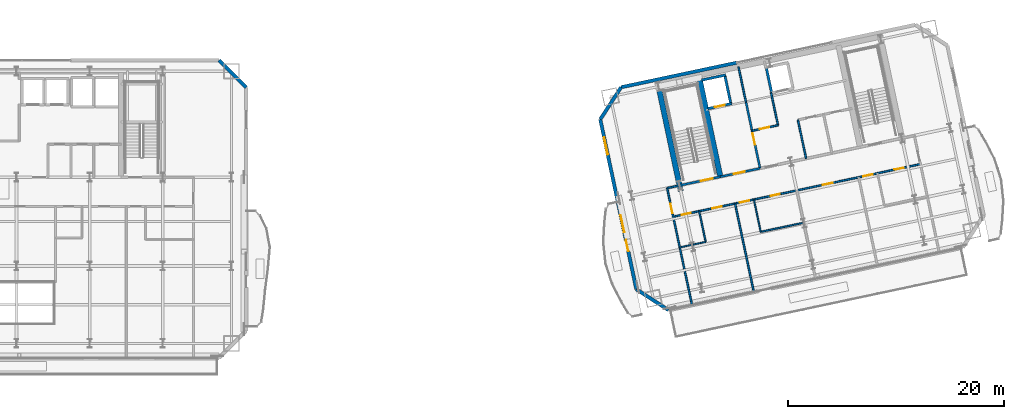
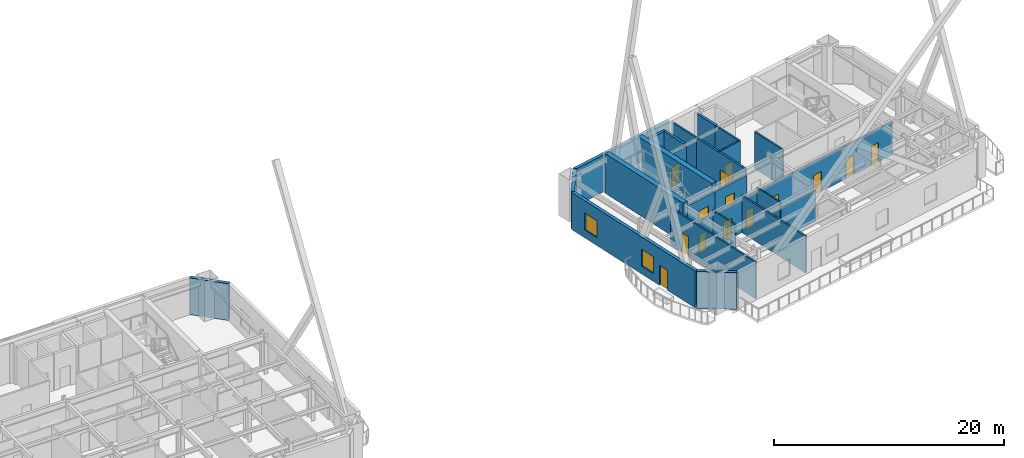
# One storey, part 14 of 22: 26 walls, 14 doors, 2 windows, 16 openings.
"""IFC4 building model written with IfcOpenShell, lengths in metres."""

from ifc_helpers import new_model, si_unit, direction, frame, frame_2d, origin, place, context, subcontext, project, spatial, rectangle, extrude, material, layer, layer_set, type_object, element, fill, save


model = new_model("IFC4")

# Units and contexts
model_context = context("Model", 3, precision=1e-05, world=origin(), true_north=direction((0.0, 1.0)))
body_context = subcontext(model_context, "Body", "Model", "MODEL_VIEW")
ifc_project = project(units=[si_unit("LENGTHUNIT", "METRE"), si_unit("AREAUNIT", "SQUARE_METRE"), si_unit("VOLUMEUNIT", "CUBIC_METRE"), si_unit("PLANEANGLEUNIT", "RADIAN"), si_unit("MASSUNIT", "GRAM", prefix="KILO")], contexts=[model_context])

# Site, building, storey
site_placement = place(None, origin())
site = spatial("IfcSite", under=ifc_project, at=site_placement, CompositionType="ELEMENT")
building_placement = place(site_placement, origin())
building = spatial("IfcBuilding", under=site, at=building_placement, Name="Haevon Station Towers", CompositionType="ELEMENT")
storey_placement = place(building_placement, frame((0.0, 0.0, 133.800048828125)))
storey = spatial("IfcBuildingStorey", under=building, at=storey_placement, Name="L36", CompositionType="ELEMENT", Elevation=133.800048828125)

# Wall, opening, door
ifc_material_1 = material(Name="Gypsum board on steel stud", Category="steel")
ifc_layer_1 = layer(ifc_material_1, 0.199951171875)
ifc_layer_set_1 = layer_set([ifc_layer_1], Name="Gypsum board on steel stud")
wall_type_1 = type_object("IfcWallType", Name="WL-COR200", PredefinedType="PARTITIONING", material=ifc_layer_set_1)
wall_1_placement = place(storey_placement, frame((98.75244140625, 37.4423828125, 0.0), z_axis=(0.0, 0.0, 1.0), x_axis=(0.978143537786, 0.207930804564, 0.0)))
wall_1 = element("IfcWall", 1, at=wall_1_placement, inside=storey, type_object=wall_type_1, Name="WL-ST-ST3-L36", PredefinedType="PARTITIONING", context=body_context, shape_type="SweptSolid", body=[
    extrude(rectangle(XDim=3.85009765625, YDim=0.199951171875, at=frame_2d((1.925048828125, 0.0))), origin(), (0.0, 0.0, 1.0), 3.25),
])
opening_1_placement = place(wall_1_placement, frame((2.0, 0.0, 0.0)))
opening_1 = element("IfcOpeningElement", 2, at=opening_1_placement, cuts=wall_1, Name="Opening DR-ST-ST3-L36", PredefinedType="OPENING", context=body_context, shape_type="SweptSolid", body=[
    extrude(rectangle(XDim=1.1201171875, YDim=2.10009765625, at=frame_2d((0.56005859375, 1.050048828125))), frame((0.0, 0.10986328125, 0.0), z_axis=(0.0, -1.0, 0.0), x_axis=(1.0, 0.0, 0.0)), (0.0, 0.0, 1.0), 0.219970703125),
])
ifc_material_2 = material(Name="Engineered oak timber", Category="wood")
door_type_1 = type_object("IfcDoorType", Name="DR-ST-1120", OperationType="NOTDEFINED", PredefinedType="DOOR", material=ifc_material_2)
door_1_placement = place(opening_1_placement, origin())
door_1 = element("IfcDoor", 3, at=door_1_placement, inside=storey, type_object=door_type_1, Name="L36 Escape Stair ST3 Fire Door", OperationType="SINGLE_SWING_LEFT", OverallHeight=2.10009765625, OverallWidth=1.1201171875, PredefinedType="DOOR", context=body_context, shape_type="SweptSolid", body=[
    extrude(rectangle(XDim=1.1201171875, YDim=2.10009765625, at=frame_2d((0.56005859375, 1.050048828125))), frame((0.0, 0.02490234375, 0.0), z_axis=(0.0, -1.0, 0.0), x_axis=(1.0, 0.0, 0.0)), (0.0, 0.0, 1.0), 0.050048828125),
])
fill(opening_1, door_1)

wall_2_placement = place(storey_placement, frame((106.186279296875, 39.0224609375, 0.0), z_axis=(0.0, 0.0, 1.0), x_axis=(-0.207916691923, 0.978146537703, 0.0)))
wall_2 = element("IfcWall", 4, at=wall_2_placement, inside=storey, type_object=wall_type_1, Name="WL-T2FFL-L36-E", PredefinedType="PARTITIONING", context=body_context, shape_type="SweptSolid", body=[
    extrude(rectangle(XDim=6.35009765625, YDim=0.199951171875, at=frame_2d((3.175048828125, 0.0))), origin(), (0.0, 0.0, 1.0), 3.89990234375),
])
opening_2_placement = place(wall_2_placement, frame((2.239990234375, 0.0, 0.0)))
opening_2 = element("IfcOpeningElement", 5, at=opening_2_placement, cuts=wall_2, Name="Opening DR-T2FFL-L36-E", PredefinedType="OPENING", context=body_context, shape_type="SweptSolid", body=[
    extrude(rectangle(XDim=1.050048828125, YDim=2.10009765625, at=frame_2d((0.52490234375, 1.050048828125))), frame((0.0, 0.10986328125, 0.0), z_axis=(0.0, -1.0, 0.0), x_axis=(1.0, 0.0, 0.0)), (0.0, 0.0, 1.0), 0.219970703125),
])
door_type_2 = type_object("IfcDoorType", Name="DR-FD60-1050", OperationType="NOTDEFINED", PredefinedType="DOOR", material=ifc_material_2)
door_2_placement = place(opening_2_placement, origin())
door_2 = element("IfcDoor", 6, at=door_2_placement, inside=storey, type_object=door_type_2, Name="L36 Tower 2 Firefighting Lift Lobby Door E", OperationType="SINGLE_SWING_LEFT", OverallHeight=2.10009765625, OverallWidth=1.050048828125, PredefinedType="DOOR", context=body_context, shape_type="SweptSolid", body=[
    extrude(rectangle(XDim=1.050048828125, YDim=2.10009765625, at=frame_2d((0.52490234375, 1.050048828125))), frame((0.0, 0.02490234375, 0.0), z_axis=(0.0, -1.0, 0.0), x_axis=(1.0, 0.0, 0.0)), (0.0, 0.0, 1.0), 0.050048828125),
])
fill(opening_2, door_2)

wall_3_placement = place(storey_placement, frame((102.518310546875, 38.242919921875, 0.0), z_axis=(0.0, 0.0, 1.0), x_axis=(0.978153555683, 0.20788367301, 0.0)))
wall_3 = element("IfcWall", 7, at=wall_3_placement, inside=storey, type_object=wall_type_1, Name="WL-T2FFL-L36-S", PredefinedType="PARTITIONING", context=body_context, shape_type="SweptSolid", body=[
    extrude(rectangle(XDim=3.75, YDim=0.199951171875, at=frame_2d((1.875, 0.0))), origin(), (0.0, 0.0, 1.0), 3.25),
])
opening_3_placement = place(wall_3_placement, frame((1.25, 0.0, 0.0)))
opening_3 = element("IfcOpeningElement", 8, at=opening_3_placement, cuts=wall_3, Name="Opening DR-T2FFL-L36-S", PredefinedType="OPENING", context=body_context, shape_type="SweptSolid", body=[
    extrude(rectangle(XDim=1.050048828125, YDim=2.10009765625, at=frame_2d((0.52490234375, 1.050048828125))), frame((0.0, 0.10986328125, 0.0), z_axis=(0.0, -1.0, 0.0), x_axis=(1.0, 0.0, 0.0)), (0.0, 0.0, 1.0), 0.219970703125),
])
door_3_placement = place(opening_3_placement, origin())
door_3 = element("IfcDoor", 9, at=door_3_placement, inside=storey, type_object=door_type_2, Name="L36 Tower 2 Firefighting Lift Lobby Door S", OperationType="SINGLE_SWING_RIGHT", OverallHeight=2.10009765625, OverallWidth=1.050048828125, PredefinedType="DOOR", context=body_context, shape_type="SweptSolid", body=[
    extrude(rectangle(XDim=1.050048828125, YDim=2.10009765625, at=frame_2d((0.52490234375, 1.050048828125))), frame((0.0, 0.02490234375, 0.0), z_axis=(0.0, -1.0, 0.0), x_axis=(1.0, 0.0, 0.0)), (0.0, 0.0, 1.0), 0.050048828125),
])
fill(opening_3, door_3)

# Walls
ifc_material_3 = material(Name="Concrete C60/75", Category="concrete")
ifc_layer_2 = layer(ifc_material_3, 0.5)
ifc_layer_set_2 = layer_set([ifc_layer_2], Name="Concrete C60/75")
wall_type_2 = type_object("IfcWallType", Name="WL-CR500", PredefinedType="SHEAR", material=ifc_layer_set_2)
wall_4_placement = place(storey_placement, frame((98.8603515625, 36.933837890625, 0.0), z_axis=(0.0, 0.0, 1.0), x_axis=(-0.20790924889, 0.978148119778, 0.0)))
element("IfcWall", 10, at=wall_4_placement, inside=storey, type_object=wall_type_2, Name="WL-T2CR-L36-W", PredefinedType="SHEAR", context=body_context, shape_type="SweptSolid", body=[
    extrude(rectangle(XDim=10.119873046875, YDim=0.5, at=frame_2d((5.06005859375, 0.0))), origin(), (0.0, 0.0, 1.0), 4.199951171875),
])
wall_5_placement = place(storey_placement, frame((102.518310546875, 38.242919921875, 0.0), z_axis=(0.0, 0.0, 1.0), x_axis=(-0.207927495108, 0.978144241295, 0.0)))
element("IfcWall", 11, at=wall_5_placement, inside=storey, type_object=wall_type_2, Name="WL-T2CR-L36-M1", PredefinedType="SHEAR", context=body_context, shape_type="SweptSolid", body=[
    extrude(rectangle(XDim=9.599853515625, YDim=0.5, at=frame_2d((4.7998046875, 0.0))), origin(), (0.0, 0.0, 1.0), 4.199951171875),
])
ifc_material_4 = material(Name="Precast concrete C45/55", Category="concrete")
ifc_layer_3 = layer(ifc_material_4, 0.320068359375)
ifc_layer_set_3 = layer_set([ifc_layer_3], Name="Precast concrete C45/55")
wall_type_3 = type_object("IfcWallType", Name="WL-EXT-PIER320", PredefinedType="SOLIDWALL", material=ifc_layer_set_3)
wall_6_placement = place(storey_placement, frame((56.199951171875, 49.0, 0.0), z_axis=(0.0, 0.0, 1.0), x_axis=(0.707106781187, -0.707106781187, 0.0)))
element("IfcWall", 12, at=wall_6_placement, inside=storey, type_object=wall_type_3, Name="WL-T1-L36-NEC", PredefinedType="SOLIDWALL", context=body_context, shape_type="SweptSolid", body=[
    extrude(rectangle(XDim=3.53564453125, YDim=0.320068359375, at=frame_2d((1.767822265625, 0.0))), origin(), (0.0, 0.0, 1.0), 3.89990234375),
])
wall_7_placement = place(storey_placement, frame((97.72412109375, 25.927001953125, 0.0), z_axis=(0.0, 0.0, 1.0), x_axis=(-0.838672309694, 0.544636352948, 0.0)))
element("IfcWall", 13, at=wall_7_placement, inside=storey, type_object=wall_type_3, Name="WL-T2-L36-SWC", PredefinedType="SOLIDWALL", context=body_context, shape_type="SweptSolid", body=[
    extrude(rectangle(XDim=3.535400390625, YDim=0.320068359375, at=frame_2d((1.767578125, 0.0))), origin(), (0.0, 0.0, 1.0), 3.89990234375),
])

# Wall, openings, door, windows
wall_8_placement = place(storey_placement, frame((94.759033203125, 27.8525390625, 0.0), z_axis=(0.0, 0.0, 1.0), x_axis=(-0.207922793235, 0.978145240776, 0.0)))
wall_8 = element("IfcWall", 14, at=wall_8_placement, inside=storey, type_object=wall_type_3, Name="WL-T2-L36-W", PredefinedType="SOLIDWALL", context=body_context, shape_type="SweptSolid", body=[
    extrude(rectangle(XDim=16.050048828125, YDim=0.320068359375, at=frame_2d((8.02490234375, 0.0))), origin(), (0.0, 0.0, 1.0), 3.89990234375),
])
opening_4_placement = place(wall_8_placement, frame((3.60009765625, 0.0, 0.0)))
opening_4 = element("IfcOpeningElement", 15, at=opening_4_placement, cuts=wall_8, Name="Opening DR-T2-SCAL-L36-W", PredefinedType="OPENING", context=body_context, shape_type="SweptSolid", body=[
    extrude(rectangle(XDim=1.050048828125, YDim=2.10009765625, at=frame_2d((0.52490234375, 1.050048828125))), frame((0.0, 0.169921875, 0.0), z_axis=(0.0, -1.0, 0.0), x_axis=(1.0, 0.0, 0.0)), (0.0, 0.0, 1.0), 0.340087890625),
])
opening_5_placement = place(wall_8_placement, frame((5.389404296875, 0.0, 0.800048828125)))
opening_5 = element("IfcOpeningElement", 16, at=opening_5_placement, cuts=wall_8, Name="Opening WN-END160", PredefinedType="OPENING", context=body_context, shape_type="SweptSolid", body=[
    extrude(rectangle(XDim=1.60009765625, YDim=1.800048828125, at=frame_2d((0.800048828125, 0.89990234375))), frame((0.0, 0.169921875, 0.0), z_axis=(0.0, -1.0, 0.0), x_axis=(1.0, 0.0, 0.0)), (0.0, 0.0, 1.0), 0.340087890625),
])
opening_6_placement = place(wall_8_placement, frame((12.732177734375, 0.0, 0.800048828125)))
opening_6 = element("IfcOpeningElement", 17, at=opening_6_placement, cuts=wall_8, Name="Opening WN-END160", PredefinedType="OPENING", context=body_context, shape_type="SweptSolid", body=[
    extrude(rectangle(XDim=1.60009765625, YDim=1.800048828125, at=frame_2d((0.800048828125, 0.89990234375))), frame((0.0, 0.169921875, 0.0), z_axis=(0.0, -1.0, 0.0), x_axis=(1.0, 0.0, 0.0)), (0.0, 0.0, 1.0), 0.340087890625),
])
ifc_material_5 = material(Name="Thermally broken anodised aluminium and laminated safety glass", Category="aluminium")
door_type_3 = type_object("IfcDoorType", Name="DR-BALC-1050", OperationType="NOTDEFINED", PredefinedType="DOOR", material=ifc_material_5)
door_4_placement = place(opening_4_placement, origin())
door_4 = element("IfcDoor", 18, at=door_4_placement, inside=storey, type_object=door_type_3, Name="Tower 2 L36 West Scalloped Balcony Door", OperationType="SINGLE_SWING_RIGHT", OverallHeight=2.10009765625, OverallWidth=1.050048828125, PredefinedType="DOOR", context=body_context, shape_type="SweptSolid", body=[
    extrude(rectangle(XDim=1.050048828125, YDim=2.10009765625, at=frame_2d((0.52490234375, 1.050048828125))), frame((0.0, 0.02490234375, 0.0), z_axis=(0.0, -1.0, 0.0), x_axis=(1.0, 0.0, 0.0)), (0.0, 0.0, 1.0), 0.050048828125),
])
fill(opening_4, door_4)
ifc_material_6 = material(Name="Low-E triple glazing in thermally broken aluminium", Category="aluminium")
window_type = type_object("IfcWindowType", Name="WN-END160", PartitioningType="SINGLE_PANEL", PredefinedType="WINDOW", material=ifc_material_6)
window_1_placement = place(opening_5_placement, origin())
window_1 = element("IfcWindow", 19, at=window_1_placement, inside=storey, type_object=window_type, Name="WN-T2-L36-W01", OverallHeight=1.800048828125, OverallWidth=1.60009765625, PartitioningType="SINGLE_PANEL", PredefinedType="WINDOW", context=body_context, shape_type="SweptSolid", body=[
    extrude(rectangle(XDim=1.60009765625, YDim=1.800048828125, at=frame_2d((0.800048828125, 0.89990234375))), frame((0.0, 0.030029296875, 0.0), z_axis=(0.0, -1.0, 0.0), x_axis=(1.0, 0.0, 0.0)), (0.0, 0.0, 1.0), 0.06005859375),
])
fill(opening_5, window_1)
window_2_placement = place(opening_6_placement, origin())
window_2 = element("IfcWindow", 20, at=window_2_placement, inside=storey, type_object=window_type, Name="WN-T2-L36-W02", OverallHeight=1.800048828125, OverallWidth=1.60009765625, PartitioningType="SINGLE_PANEL", PredefinedType="WINDOW", context=body_context, shape_type="SweptSolid", body=[
    extrude(rectangle(XDim=1.60009765625, YDim=1.800048828125, at=frame_2d((0.800048828125, 0.89990234375))), frame((0.0, 0.030029296875, 0.0), z_axis=(0.0, -1.0, 0.0), x_axis=(1.0, 0.0, 0.0)), (0.0, 0.0, 1.0), 0.06005859375),
])
fill(opening_6, window_2)

# Walls
wall_9_placement = place(storey_placement, frame((91.421875, 43.5517578125, 0.0), z_axis=(0.0, 0.0, 1.0), x_axis=(0.544604812064, 0.838692791597, 0.0)))
element("IfcWall", 21, at=wall_9_placement, inside=storey, type_object=wall_type_3, Name="WL-T2-L36-NWC", PredefinedType="SOLIDWALL", context=body_context, shape_type="SweptSolid", body=[
    extrude(rectangle(XDim=3.53564453125, YDim=0.320068359375, at=frame_2d((1.767822265625, 0.0))), origin(), (0.0, 0.0, 1.0), 3.89990234375),
])
wall_10_placement = place(storey_placement, frame((93.347412109375, 46.51708984375, 0.0), z_axis=(0.0, 0.0, 1.0), x_axis=(0.978150140593, 0.207899741361, 0.0)))
element("IfcWall", 22, at=wall_10_placement, inside=storey, type_object=wall_type_3, Name="WL-T2-L36-N1", PredefinedType="SOLIDWALL", context=body_context, shape_type="SweptSolid", body=[
    extrude(rectangle(XDim=10.900146484375, YDim=0.320068359375, at=frame_2d((5.4501953125, 0.0))), origin(), (0.0, 0.0, 1.0), 3.89990234375),
])
ifc_layer_4 = layer(ifc_material_1, 0.125)
ifc_layer_set_4 = layer_set([ifc_layer_4], Name="Gypsum board on steel stud")
wall_type_4 = type_object("IfcWallType", Name="WL-PRT125", PredefinedType="PARTITIONING", material=ifc_layer_set_4)
wall_11_placement = place(storey_placement, frame((98.767333984375, 31.720458984375, 0.0), z_axis=(0.0, 0.0, 1.0), x_axis=(0.978136559131, 0.207963630695, 0.0)))
element("IfcWall", 23, at=wall_11_placement, inside=storey, type_object=wall_type_4, Name="WL-T2PT-L36-05", PredefinedType="PARTITIONING", context=body_context, shape_type="SweptSolid", body=[
    extrude(rectangle(XDim=2.449951171875, YDim=0.125, at=frame_2d((1.22509765625, 0.0))), origin(), (0.0, 0.0, 1.0), 3.25),
])
wall_12_placement = place(storey_placement, frame((106.24951171875, 33.157470703125, 0.0), z_axis=(0.0, 0.0, 1.0), x_axis=(-0.207877902534, 0.978154782045, 0.0)))
element("IfcWall", 24, at=wall_12_placement, inside=storey, type_object=wall_type_4, Name="WL-T2PT-L36-09", PredefinedType="PARTITIONING", context=body_context, shape_type="SweptSolid", body=[
    extrude(rectangle(XDim=3.050048828125, YDim=0.125, at=frame_2d((1.52490234375, 0.0))), origin(), (0.0, 0.0, 1.0), 3.89990234375),
])
ifc_layer_5 = layer(ifc_material_1, 0.139892578125)
ifc_layer_set_5 = layer_set([ifc_layer_5], Name="Gypsum board on steel stud")
wall_type_5 = type_object("IfcWallType", Name="WL-PRT140", PredefinedType="PARTITIONING", material=ifc_layer_set_5)
wall_13_placement = place(storey_placement, frame((101.163818359375, 32.22998046875, 0.0), z_axis=(0.0, 0.0, 1.0), x_axis=(-0.207953405961, 0.978138732977, 0.0)))
element("IfcWall", 25, at=wall_13_placement, inside=storey, type_object=wall_type_5, Name="WL-T2PT-L36-06", PredefinedType="PARTITIONING", context=body_context, shape_type="SweptSolid", body=[
    extrude(rectangle(XDim=2.89990234375, YDim=0.139892578125, at=frame_2d((1.449951171875, 0.0))), origin(), (0.0, 0.0, 1.0), 3.89990234375),
])
wall_14_placement = place(storey_placement, frame((106.24951171875, 33.157470703125, 0.0), z_axis=(0.0, 0.0, 1.0), x_axis=(0.978141874127, 0.207938630558, 0.0)))
element("IfcWall", 26, at=wall_14_placement, inside=storey, type_object=wall_type_5, Name="WL-T2PT-L36-08", PredefinedType="PARTITIONING", context=body_context, shape_type="SweptSolid", body=[
    extrude(rectangle(XDim=4.0576171875, YDim=0.139892578125, at=frame_2d((2.02880859375, 0.0))), origin(), (0.0, 0.0, 1.0), 3.25),
])
ifc_layer_6 = layer(ifc_material_1, 0.159912109375)
ifc_layer_set_6 = layer_set([ifc_layer_6], Name="Gypsum board on steel stud")
wall_type_6 = type_object("IfcWallType", Name="WL-PRT160", PredefinedType="PARTITIONING", material=ifc_layer_set_6)
wall_15_placement = place(storey_placement, frame((104.88671875, 45.135986328125, 0.0), z_axis=(0.0, 0.0, 1.0), x_axis=(-0.207846553267, 0.978161443881, 0.0)))
element("IfcWall", 27, at=wall_15_placement, inside=storey, type_object=wall_type_6, Name="WL-T2CW-L36-01", PredefinedType="PARTITIONING", context=body_context, shape_type="SweptSolid", body=[
    extrude(rectangle(XDim=3.35009765625, YDim=0.159912109375, at=frame_2d((1.675048828125, 0.0))), origin(), (0.0, 0.0, 1.0), 3.89990234375),
])

# Wall, opening, door
wall_16_placement = place(storey_placement, frame((105.4482421875, 42.494873046875, 0.0), z_axis=(0.0, 0.0, 1.0), x_axis=(0.978136559131, 0.207963630695, 0.0)))
wall_16 = element("IfcWall", 28, at=wall_16_placement, inside=storey, type_object=wall_type_6, Name="WL-T2CW-L36-02", PredefinedType="PARTITIONING", context=body_context, shape_type="SweptSolid", body=[
    extrude(rectangle(XDim=2.449951171875, YDim=0.159912109375, at=frame_2d((1.22509765625, 0.0))), origin(), (0.0, 0.0, 1.0), 3.89990234375),
])
opening_7_placement = place(wall_16_placement, frame((0.719970703125, 0.0, 0.0)))
opening_7 = element("IfcOpeningElement", 29, at=opening_7_placement, cuts=wall_16, Name="Opening DR-WL-T2CW-L36-02-1", PredefinedType="OPENING", context=body_context, shape_type="SweptSolid", body=[
    extrude(rectangle(XDim=0.89990234375, YDim=2.10009765625, at=frame_2d((0.449951171875, 1.050048828125))), frame((0.0, 0.08984375, 0.0), z_axis=(0.0, -1.0, 0.0), x_axis=(1.0, 0.0, 0.0)), (0.0, 0.0, 1.0), 0.179931640625),
])
door_type_4 = type_object("IfcDoorType", Name="DR-FD60-900", OperationType="NOTDEFINED", PredefinedType="DOOR", material=ifc_material_2)
door_5_placement = place(opening_7_placement, origin())
door_5 = element("IfcDoor", 30, at=door_5_placement, inside=storey, type_object=door_type_4, Name="L36 Tower 2 Core Room Door 2-1", OperationType="SINGLE_SWING_LEFT", OverallHeight=2.10009765625, OverallWidth=0.89990234375, PredefinedType="DOOR", context=body_context, shape_type="SweptSolid", body=[
    extrude(rectangle(XDim=0.89990234375, YDim=2.10009765625, at=frame_2d((0.449951171875, 1.050048828125))), frame((0.0, 0.02490234375, 0.0), z_axis=(0.0, -1.0, 0.0), x_axis=(1.0, 0.0, 0.0)), (0.0, 0.0, 1.0), 0.050048828125),
])
fill(opening_7, door_5)

# Walls
wall_17_placement = place(storey_placement, frame((107.8447265625, 43.00439453125, 0.0), z_axis=(0.0, 0.0, 1.0), x_axis=(-0.207915270313, 0.978146839882, 0.0)))
element("IfcWall", 31, at=wall_17_placement, inside=storey, type_object=wall_type_6, Name="WL-T2CW-L36-03", PredefinedType="PARTITIONING", context=body_context, shape_type="SweptSolid", body=[
    extrude(rectangle(XDim=3.099853515625, YDim=0.159912109375, at=frame_2d((1.5498046875, 0.0))), origin(), (0.0, 0.0, 1.0), 3.89990234375),
])
wall_18_placement = place(storey_placement, frame((110.441162109375, 39.927001953125, 0.0), z_axis=(0.0, 0.0, 1.0), x_axis=(-0.207884354546, 0.978153410838, 0.0)))
element("IfcWall", 32, at=wall_18_placement, inside=storey, type_object=wall_type_6, Name="WL-T2CW-L36-05", PredefinedType="PARTITIONING", context=body_context, shape_type="SweptSolid", body=[
    extrude(rectangle(XDim=3.650146484375, YDim=0.159912109375, at=frame_2d((1.8251953125, 0.0))), origin(), (0.0, 0.0, 1.0), 3.89990234375),
])
wall_19_placement = place(storey_placement, frame((97.60302734375, 37.197998046875, 0.0), z_axis=(0.0, 0.0, 1.0), x_axis=(0.978135611929, 0.207968085714, 0.0)))
element("IfcWall", 33, at=wall_19_placement, inside=storey, type_object=wall_type_6, Name="WL-T2PT-L36-01", PredefinedType="PARTITIONING", context=body_context, shape_type="SweptSolid", body=[
    extrude(rectangle(XDim=1.175048828125, YDim=0.159912109375, at=frame_2d((0.58740234375, 0.0))), origin(), (0.0, 0.0, 1.0), 3.25),
])

# Wall, opening, door
wall_20_placement = place(storey_placement, frame((99.900390625, 26.3896484375, 0.0), z_axis=(0.0, 0.0, 1.0), x_axis=(-0.207909755675, 0.978148012059, 0.0)))
wall_20 = element("IfcWall", 34, at=wall_20_placement, inside=storey, type_object=wall_type_6, Name="WL-T2PT-L36-03", PredefinedType="PARTITIONING", context=body_context, shape_type="SweptSolid", body=[
    extrude(rectangle(XDim=11.0498046875, YDim=0.159912109375, at=frame_2d((5.52490234375, 0.0))), origin(), (0.0, 0.0, 1.0), 3.89990234375),
])
opening_8_placement = place(wall_20_placement, frame((8.669921875, 0.0, 0.0)))
opening_8 = element("IfcOpeningElement", 35, at=opening_8_placement, cuts=wall_20, Name="Opening DR-WL-T2PT-L36-03-01", PredefinedType="OPENING", context=body_context, shape_type="SweptSolid", body=[
    extrude(rectangle(XDim=0.89990234375, YDim=2.050048828125, at=frame_2d((0.449951171875, 1.02490234375))), frame((0.0, 0.08984375, 0.0), z_axis=(0.0, -1.0, 0.0), x_axis=(1.0, 0.0, 0.0)), (0.0, 0.0, 1.0), 0.179931640625),
])
door_type_5 = type_object("IfcDoorType", Name="DR-INT-900", OperationType="NOTDEFINED", PredefinedType="DOOR", material=ifc_material_2)
door_6_placement = place(opening_8_placement, origin())
door_6 = element("IfcDoor", 36, at=door_6_placement, inside=storey, type_object=door_type_5, Name="L36 Tower 2 Room Door 3-1", OperationType="SINGLE_SWING_RIGHT", OverallHeight=2.050048828125, OverallWidth=0.89990234375, PredefinedType="DOOR", context=body_context, shape_type="SweptSolid", body=[
    extrude(rectangle(XDim=0.89990234375, YDim=2.050048828125, at=frame_2d((0.449951171875, 1.02490234375))), frame((0.0, 0.02490234375, 0.0), z_axis=(0.0, -1.0, 0.0), x_axis=(1.0, 0.0, 0.0)), (0.0, 0.0, 1.0), 0.050048828125),
])
fill(opening_8, door_6)

# Wall
wall_21_placement = place(storey_placement, frame((105.6103515625, 27.603271484375, 0.0), z_axis=(0.0, 0.0, 1.0), x_axis=(-0.207915405456, 0.978146811156, 0.0)))
element("IfcWall", 37, at=wall_21_placement, inside=storey, type_object=wall_type_6, Name="WL-T2PT-L36-07", PredefinedType="PARTITIONING", context=body_context, shape_type="SweptSolid", body=[
    extrude(rectangle(XDim=8.349853515625, YDim=0.159912109375, at=frame_2d((4.1748046875, 0.0))), origin(), (0.0, 0.0, 1.0), 3.89990234375),
])

# Wall, openings, doors
wall_22_placement = place(storey_placement, frame((98.164306640625, 34.55712890625, 0.0), z_axis=(0.0, 0.0, 1.0), x_axis=(0.978147795204, 0.207910775907, 0.0)))
wall_22 = element("IfcWall", 38, at=wall_22_placement, inside=storey, type_object=wall_type_6, Name="WL-T2PT-L36-14", PredefinedType="PARTITIONING", context=body_context, shape_type="SweptSolid", body=[
    extrude(rectangle(XDim=23.35009765625, YDim=0.159912109375, at=frame_2d((11.675048828125, 0.0))), origin(), (0.0, 0.0, 1.0), 3.5),
])
opening_9_placement = place(wall_22_placement, frame((0.800048828125, 0.0, 0.0)))
opening_9 = element("IfcOpeningElement", 39, at=opening_9_placement, cuts=wall_22, Name="Opening DR-WL-T2PT-L36-14-01", PredefinedType="OPENING", context=body_context, shape_type="SweptSolid", body=[
    extrude(rectangle(XDim=0.85009765625, YDim=2.050048828125, at=frame_2d((0.425048828125, 1.02490234375))), frame((0.0, 0.08984375, 0.0), z_axis=(0.0, -1.0, 0.0), x_axis=(1.0, 0.0, 0.0)), (0.0, 0.0, 1.0), 0.179931640625),
])
opening_10_placement = place(wall_22_placement, frame((3.694091796875, 0.0, 0.0)))
opening_10 = element("IfcOpeningElement", 40, at=opening_10_placement, cuts=wall_22, Name="Opening DR-WL-T2PT-L36-14-02", PredefinedType="OPENING", context=body_context, shape_type="SweptSolid", body=[
    extrude(rectangle(XDim=0.89990234375, YDim=2.050048828125, at=frame_2d((0.449951171875, 1.02490234375))), frame((0.0, 0.08984375, 0.0), z_axis=(0.0, -1.0, 0.0), x_axis=(1.0, 0.0, 0.0)), (0.0, 0.0, 1.0), 0.179931640625),
])
opening_11_placement = place(wall_22_placement, frame((9.220947265625, 0.0, 0.0)))
opening_11 = element("IfcOpeningElement", 41, at=opening_11_placement, cuts=wall_22, Name="Opening DR-WL-T2PT-L36-14-03", PredefinedType="OPENING", context=body_context, shape_type="SweptSolid", body=[
    extrude(rectangle(XDim=0.85009765625, YDim=2.050048828125, at=frame_2d((0.425048828125, 1.02490234375))), frame((0.0, 0.08984375, 0.0), z_axis=(0.0, -1.0, 0.0), x_axis=(1.0, 0.0, 0.0)), (0.0, 0.0, 1.0), 0.179931640625),
])
opening_12_placement = place(wall_22_placement, frame((6.278076171875, 0.0, 0.0)))
opening_12 = element("IfcOpeningElement", 42, at=opening_12_placement, cuts=wall_22, Name="Opening DR-WL-T2PT-L36-14-04", PredefinedType="OPENING", context=body_context, shape_type="SweptSolid", body=[
    extrude(rectangle(XDim=0.89990234375, YDim=2.050048828125, at=frame_2d((0.449951171875, 1.02490234375))), frame((0.0, 0.08984375, 0.0), z_axis=(0.0, -1.0, 0.0), x_axis=(1.0, 0.0, 0.0)), (0.0, 0.0, 1.0), 0.179931640625),
])
opening_13_placement = place(wall_22_placement, frame((14.118896484375, 0.0, 0.0)))
opening_13 = element("IfcOpeningElement", 43, at=opening_13_placement, cuts=wall_22, Name="Opening DR-WL-T2PT-L36-14-05", PredefinedType="OPENING", context=body_context, shape_type="SweptSolid", body=[
    extrude(rectangle(XDim=0.949951171875, YDim=2.10009765625, at=frame_2d((0.47509765625, 1.050048828125))), frame((0.0, 0.08984375, 0.0), z_axis=(0.0, -1.0, 0.0), x_axis=(1.0, 0.0, 0.0)), (0.0, 0.0, 1.0), 0.179931640625),
])
opening_14_placement = place(wall_22_placement, frame((20.89599609375, 0.0, 0.0)))
opening_14 = element("IfcOpeningElement", 44, at=opening_14_placement, cuts=wall_22, Name="Opening DR-WL-T2PT-L36-14-06", PredefinedType="OPENING", context=body_context, shape_type="SweptSolid", body=[
    extrude(rectangle(XDim=0.85009765625, YDim=2.050048828125, at=frame_2d((0.425048828125, 1.02490234375))), frame((0.0, 0.08984375, 0.0), z_axis=(0.0, -1.0, 0.0), x_axis=(1.0, 0.0, 0.0)), (0.0, 0.0, 1.0), 0.179931640625),
])
opening_15_placement = place(wall_22_placement, frame((17.952880859375, 0.0, 0.0)))
opening_15 = element("IfcOpeningElement", 45, at=opening_15_placement, cuts=wall_22, Name="Opening DR-WL-T2PT-L36-14-07", PredefinedType="OPENING", context=body_context, shape_type="SweptSolid", body=[
    extrude(rectangle(XDim=0.89990234375, YDim=2.050048828125, at=frame_2d((0.449951171875, 1.02490234375))), frame((0.0, 0.08984375, 0.0), z_axis=(0.0, -1.0, 0.0), x_axis=(1.0, 0.0, 0.0)), (0.0, 0.0, 1.0), 0.179931640625),
])
door_type_6 = type_object("IfcDoorType", Name="DR-FD30-850", OperationType="NOTDEFINED", PredefinedType="DOOR", material=ifc_material_2)
door_7_placement = place(opening_9_placement, origin())
door_7 = element("IfcDoor", 46, at=door_7_placement, inside=storey, type_object=door_type_6, Name="L36 Tower 2 Room Door 14-1", OperationType="SINGLE_SWING_RIGHT", OverallHeight=2.050048828125, OverallWidth=0.85009765625, PredefinedType="DOOR", context=body_context, shape_type="SweptSolid", body=[
    extrude(rectangle(XDim=0.85009765625, YDim=2.050048828125, at=frame_2d((0.425048828125, 1.02490234375))), frame((0.0, 0.02490234375, 0.0), z_axis=(0.0, -1.0, 0.0), x_axis=(1.0, 0.0, 0.0)), (0.0, 0.0, 1.0), 0.050048828125),
])
fill(opening_9, door_7)
door_8_placement = place(opening_11_placement, origin())
door_8 = element("IfcDoor", 47, at=door_8_placement, inside=storey, type_object=door_type_6, Name="L36 Tower 2 Room Door 14-3", OperationType="SINGLE_SWING_RIGHT", OverallHeight=2.050048828125, OverallWidth=0.85009765625, PredefinedType="DOOR", context=body_context, shape_type="SweptSolid", body=[
    extrude(rectangle(XDim=0.85009765625, YDim=2.050048828125, at=frame_2d((0.425048828125, 1.02490234375))), frame((0.0, 0.02490234375, 0.0), z_axis=(0.0, -1.0, 0.0), x_axis=(1.0, 0.0, 0.0)), (0.0, 0.0, 1.0), 0.050048828125),
])
fill(opening_11, door_8)
door_9_placement = place(opening_14_placement, origin())
door_9 = element("IfcDoor", 48, at=door_9_placement, inside=storey, type_object=door_type_6, Name="L36 Tower 2 Room Door 14-6", OperationType="SINGLE_SWING_LEFT", OverallHeight=2.050048828125, OverallWidth=0.85009765625, PredefinedType="DOOR", context=body_context, shape_type="SweptSolid", body=[
    extrude(rectangle(XDim=0.85009765625, YDim=2.050048828125, at=frame_2d((0.425048828125, 1.02490234375))), frame((0.0, 0.02490234375, 0.0), z_axis=(0.0, -1.0, 0.0), x_axis=(1.0, 0.0, 0.0)), (0.0, 0.0, 1.0), 0.050048828125),
])
fill(opening_14, door_9)
door_type_7 = type_object("IfcDoorType", Name="DR-FD30-950", OperationType="NOTDEFINED", PredefinedType="DOOR", material=ifc_material_2)
door_10_placement = place(opening_13_placement, origin())
door_10 = element("IfcDoor", 49, at=door_10_placement, inside=storey, type_object=door_type_7, Name="L36 Tower 2 Room Door 14-5", OperationType="SINGLE_SWING_RIGHT", OverallHeight=2.10009765625, OverallWidth=0.949951171875, PredefinedType="DOOR", context=body_context, shape_type="SweptSolid", body=[
    extrude(rectangle(XDim=0.949951171875, YDim=2.10009765625, at=frame_2d((0.47509765625, 1.050048828125))), frame((0.0, 0.02490234375, 0.0), z_axis=(0.0, -1.0, 0.0), x_axis=(1.0, 0.0, 0.0)), (0.0, 0.0, 1.0), 0.050048828125),
])
fill(opening_13, door_10)
door_11_placement = place(opening_10_placement, origin())
door_11 = element("IfcDoor", 50, at=door_11_placement, inside=storey, type_object=door_type_5, Name="L36 Tower 2 Room Door 14-2", OperationType="SINGLE_SWING_LEFT", OverallHeight=2.050048828125, OverallWidth=0.89990234375, PredefinedType="DOOR", context=body_context, shape_type="SweptSolid", body=[
    extrude(rectangle(XDim=0.89990234375, YDim=2.050048828125, at=frame_2d((0.449951171875, 1.02490234375))), frame((0.0, 0.02490234375, 0.0), z_axis=(0.0, -1.0, 0.0), x_axis=(1.0, 0.0, 0.0)), (0.0, 0.0, 1.0), 0.050048828125),
])
fill(opening_10, door_11)
door_12_placement = place(opening_12_placement, origin())
door_12 = element("IfcDoor", 51, at=door_12_placement, inside=storey, type_object=door_type_5, Name="L36 Tower 2 Room Door 14-4", OperationType="SINGLE_SWING_LEFT", OverallHeight=2.050048828125, OverallWidth=0.89990234375, PredefinedType="DOOR", context=body_context, shape_type="SweptSolid", body=[
    extrude(rectangle(XDim=0.89990234375, YDim=2.050048828125, at=frame_2d((0.449951171875, 1.02490234375))), frame((0.0, 0.02490234375, 0.0), z_axis=(0.0, -1.0, 0.0), x_axis=(1.0, 0.0, 0.0)), (0.0, 0.0, 1.0), 0.050048828125),
])
fill(opening_12, door_12)
door_13_placement = place(opening_15_placement, origin())
door_13 = element("IfcDoor", 52, at=door_13_placement, inside=storey, type_object=door_type_5, Name="L36 Tower 2 Room Door 14-7", OperationType="SINGLE_SWING_RIGHT", OverallHeight=2.050048828125, OverallWidth=0.89990234375, PredefinedType="DOOR", context=body_context, shape_type="SweptSolid", body=[
    extrude(rectangle(XDim=0.89990234375, YDim=2.050048828125, at=frame_2d((0.449951171875, 1.02490234375))), frame((0.0, 0.02490234375, 0.0), z_axis=(0.0, -1.0, 0.0), x_axis=(1.0, 0.0, 0.0)), (0.0, 0.0, 1.0), 0.050048828125),
])
fill(opening_15, door_13)

# Wall, opening, door
ifc_material_7 = material(Name="Concrete C40/50", Category="concrete")
ifc_layer_7 = layer(ifc_material_7, 0.239990234375)
ifc_layer_set_7 = layer_set([ifc_layer_7], Name="Concrete C40/50")
wall_type_7 = type_object("IfcWallType", Name="WL-SHF240", PredefinedType="PARTITIONING", material=ifc_layer_set_7)
wall_23_placement = place(storey_placement, frame((101.353759765625, 44.538330078125, 0.0), z_axis=(0.0, 0.0, 1.0), x_axis=(0.978141002414, 0.207942731049, 0.0)))
wall_23 = element("IfcWall", 53, at=wall_23_placement, inside=storey, type_object=wall_type_7, Name="WL-SHF-FL2-L36", PredefinedType="PARTITIONING", context=body_context, shape_type="SweptSolid", body=[
    extrude(rectangle(XDim=2.260009765625, YDim=0.239990234375, at=frame_2d((1.1298828125, 0.0))), origin(), (0.0, 0.0, 1.0), 3.599853515625),
])
opening_16_placement = place(wall_23_placement, frame((0.655029296875, 0.0, 0.0)))
opening_16 = element("IfcOpeningElement", 54, at=opening_16_placement, cuts=wall_23, Name="Opening LD-FL2-L36", PredefinedType="OPENING", context=body_context, shape_type="SweptSolid", body=[
    extrude(rectangle(XDim=0.949951171875, YDim=2.14990234375, at=frame_2d((0.47509765625, 1.074951171875))), frame((0.0, 0.1298828125, 0.0), z_axis=(0.0, -1.0, 0.0), x_axis=(1.0, 0.0, 0.0)), (0.0, 0.0, 1.0), 0.260009765625),
])
ifc_material_8 = material(Name="Stainless steel and rated core", Category="steel")
door_type_8 = type_object("IfcDoorType", Name="LD-FL950", OperationType="SLIDING_TO_LEFT", PredefinedType="DOOR", material=ifc_material_8)
door_14_placement = place(opening_16_placement, origin())
door_14 = element("IfcDoor", 55, at=door_14_placement, inside=storey, type_object=door_type_8, Name="L36 Lift FL2 Sliding Landing Door", OperationType="SLIDING_TO_LEFT", OverallHeight=2.14990234375, OverallWidth=0.949951171875, PredefinedType="DOOR", context=body_context, shape_type="SweptSolid", body=[
    extrude(rectangle(XDim=0.949951171875, YDim=2.14990234375, at=frame_2d((0.47509765625, 1.074951171875))), frame((0.0, 0.02490234375, 0.0), z_axis=(0.0, -1.0, 0.0), x_axis=(1.0, 0.0, 0.0)), (0.0, 0.0, 1.0), 0.050048828125),
])
fill(opening_16, door_14)

# Walls
wall_24_placement = place(storey_placement, frame((100.79248046875, 47.179443359375, 0.0), z_axis=(0.0, 0.0, 1.0), x_axis=(0.978162968872, 0.207839376268, 0.0)))
element("IfcWall", 56, at=wall_24_placement, inside=storey, type_object=wall_type_7, Name="WL-SHF-FL2-L36-N", PredefinedType="PARTITIONING", context=body_context, shape_type="SweptSolid", body=[
    extrude(rectangle(XDim=2.260009765625, YDim=0.239990234375, at=frame_2d((1.1298828125, 0.0))), origin(), (0.0, 0.0, 1.0), 3.89990234375),
])
wall_25_placement = place(storey_placement, frame((103.486328125, 44.99169921875, 0.0), z_axis=(0.0, 0.0, 1.0), x_axis=(-0.207978798957, 0.978133334052, 0.0)))
element("IfcWall", 57, at=wall_25_placement, inside=storey, type_object=wall_type_7, Name="WL-SHF-FL2-L36-E", PredefinedType="PARTITIONING", context=body_context, shape_type="SweptSolid", body=[
    extrude(rectangle(XDim=2.699951171875, YDim=0.239990234375, at=frame_2d((1.35009765625, 0.0))), origin(), (0.0, 0.0, 1.0), 3.89990234375),
])
wall_26_placement = place(storey_placement, frame((107.259521484375, 45.998046875, 0.0), z_axis=(0.0, 0.0, 1.0), x_axis=(-0.207917150959, 0.978146440129, 0.0)))
element("IfcWall", 58, at=wall_26_placement, inside=storey, type_object=wall_type_7, Name="WL-SHF-PL8-L36-W", PredefinedType="PARTITIONING", context=body_context, shape_type="SweptSolid", body=[
    extrude(rectangle(XDim=2.400146484375, YDim=0.239990234375, at=frame_2d((1.2001953125, 0.0))), origin(), (0.0, 0.0, 1.0), 3.89990234375),
])

save(model, "model.ifc")
